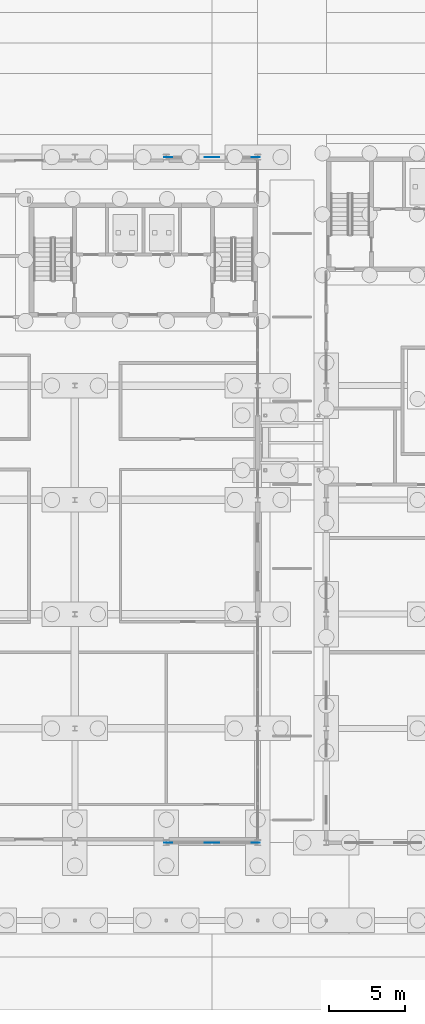
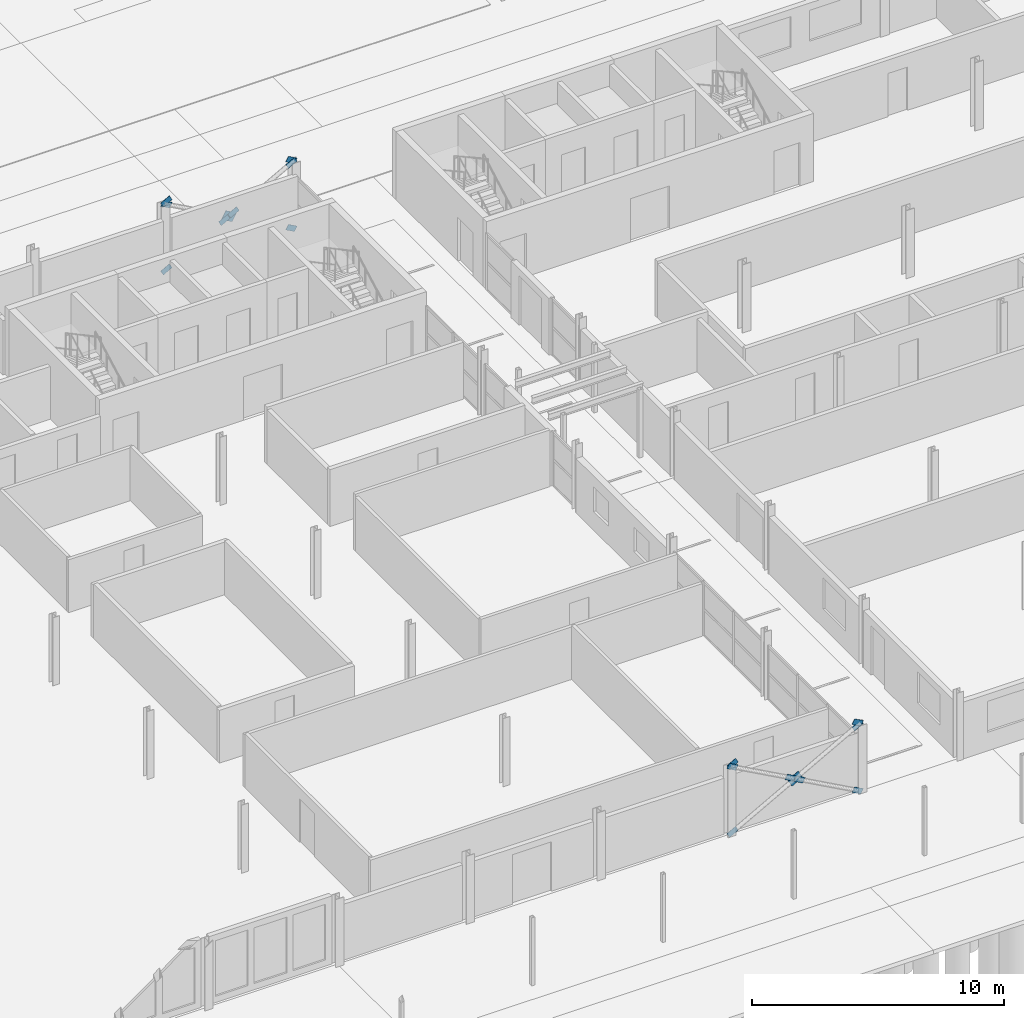
# One storey, part 105 of 130: 18 discrete accessories.
"""IFC4 building model written with IfcOpenShell, lengths in metres."""

from ifc_helpers import new_model, si_unit, direction, frame, origin, place, context, subcontext, project, spatial, polyline, outline, extrude, material, layer, layer_set, type_object, element, save


model = new_model("IFC4")

# Units and contexts
model_context = context("Model", 3, precision=1e-05, world=origin(), true_north=direction((0.0, 1.0)))
body_context = subcontext(model_context, "Body", "Model", "MODEL_VIEW")
ifc_project = project(units=[si_unit("LENGTHUNIT", "METRE"), si_unit("AREAUNIT", "SQUARE_METRE"), si_unit("VOLUMEUNIT", "CUBIC_METRE"), si_unit("PLANEANGLEUNIT", "RADIAN"), si_unit("MASSUNIT", "GRAM", prefix="KILO")], contexts=[model_context])

# Site, building, storey
site_placement = place(None, origin())
site = spatial("IfcSite", under=ifc_project, at=site_placement, CompositionType="ELEMENT")
building_placement = place(site_placement, origin())
building = spatial("IfcBuilding", under=site, at=building_placement, Name="Parallax Yard Mobility Hub", CompositionType="ELEMENT")
storey_placement = place(building_placement, origin())
storey = spatial("IfcBuildingStorey", under=building, at=storey_placement, Name="L00", CompositionType="ELEMENT", Elevation=0.0)

# Discrete accessories
ifc_material = material(Name="Steel ASTM A36", Category="steel")
ifc_layer = layer(ifc_material, 0.011962890625)
ifc_layer_set = layer_set([ifc_layer], Name="Gusset plate PL12")
discrete_accessory_type = type_object("IfcDiscreteAccessoryType", Name="Gusset plate PL12", PredefinedType="BRACKET", material=ifc_layer_set)
discrete_accessory_1_placement = place(storey_placement, frame((87.393310546875, 7.5, 0.069091796875), z_axis=(0.0, 1.0, 0.0), x_axis=(-0.876260918748, 0.0, -0.481836904226)))
element("IfcDiscreteAccessory", 1, at=discrete_accessory_1_placement, inside=storey, type_object=discrete_accessory_type, Name="Gusset plate PL12 at end 1 of X brace east end bay south face level 0 1", PredefinedType="BRACKET", context=body_context, shape_type="SweptSolid", body=[
    extrude(outline(polyline([(0.0, 0.0), (0.4580452909772414, 2.7755575615628914e-17), (0.4577912805793759, 0.25785907180368317), (0.00029148734181290437, 0.2578804128412087), (0.0, 0.0)])), origin(), (0.0, 0.0, -1.0), 0.011962890625),
])
discrete_accessory_2_placement = place(storey_placement, frame((92.606689453125, 7.5, 3.23095703125), z_axis=(0.0, 1.0, 0.0), x_axis=(0.876485923717, 0.0, 0.481427487297)))
element("IfcDiscreteAccessory", 2, at=discrete_accessory_2_placement, inside=storey, type_object=discrete_accessory_type, Name="Gusset plate PL12 at end 2 of X brace east end bay south face level 0 1", PredefinedType="BRACKET", context=body_context, shape_type="SweptSolid", body=[
    extrude(outline(polyline([(0.0, 0.0), (0.45792770498553226, 0.0), (0.4579116950974483, 0.25764517651014446), (0.00029442574671517674, 0.25809423434664636), (0.0, 0.0)])), origin(), (0.0, 0.0, -1.0), 0.011962890625),
])
discrete_accessory_3_placement = place(storey_placement, frame((92.731201171875, 7.5, 0.294921875), z_axis=(0.0, 1.0, 0.0), x_axis=(0.876238441502, 0.0, -0.481877778731)))
element("IfcDiscreteAccessory", 3, at=discrete_accessory_3_placement, inside=storey, type_object=discrete_accessory_type, Name="Gusset plate PL12 at end 1 of X brace east end bay south face level 0 2 (half 1)", PredefinedType="BRACKET", context=body_context, shape_type="SweptSolid", body=[
    extrude(outline(polyline([(0.0, 0.0), (0.45749979373531174, 0.0), (0.45776583251018776, 0.2578590596742909), (-0.0002794579687115245, 0.2578804261576796), (0.0, 0.0)])), origin(), (0.0, 0.0, -1.0), 0.011962890625),
])
discrete_accessory_4_placement = place(storey_placement, frame((90.350830078125, 7.5, 1.31005859375), z_axis=(0.0, 1.0, 0.0), x_axis=(-0.876362269373, 0.0, 0.481652543666)))
element("IfcDiscreteAccessory", 4, at=discrete_accessory_4_placement, inside=storey, type_object=discrete_accessory_type, Name="Gusset plate PL12 at end 2 of X brace east end bay south face level 0 2 (half 1)", PredefinedType="BRACKET", context=body_context, shape_type="SweptSolid", body=[
    extrude(outline(polyline([(0.0, 0.0), (0.45771373425530937, 0.0), (0.4576995399985189, 0.25797671048953025), (-0.0001317852098339095, 0.2577627548573592), (0.0, 0.0)])), origin(), (0.0, 0.0, -1.0), 0.011962890625),
])
discrete_accessory_5_placement = place(storey_placement, frame((89.649169921875, 7.5, 1.989990234375), z_axis=(0.0, 1.0, 0.0), x_axis=(0.876137085839, 0.0, -0.482062036274)))
element("IfcDiscreteAccessory", 5, at=discrete_accessory_5_placement, inside=storey, type_object=discrete_accessory_type, Name="Gusset plate PL12 at end 1 of X brace east end bay south face level 0 2 (half 2)", PredefinedType="BRACKET", context=body_context, shape_type="SweptSolid", body=[
    extrude(outline(polyline([(0.0, 0.0), (0.45783137520166645, -2.7755575615628914e-17), (0.45782004875185034, 0.25776278829712423), (-1.1326449816093098e-05, 0.2577627882971243), (0.0, 0.0)])), origin(), (0.0, 0.0, -1.0), 0.011962890625),
])
discrete_accessory_6_placement = place(storey_placement, frame((87.268798828125, 7.5, 3.0048828125), z_axis=(0.0, 1.0, 0.0), x_axis=(-0.876013079243, 0.0, 0.482287346916)))
element("IfcDiscreteAccessory", 6, at=discrete_accessory_6_placement, inside=storey, type_object=discrete_accessory_type, Name="Gusset plate PL12 at end 2 of X brace east end bay south face level 0 2 (half 2)", PredefinedType="BRACKET", context=body_context, shape_type="SweptSolid", body=[
    extrude(outline(polyline([(0.0, 0.0), (0.4576174896799312, 0.0), (0.4578863255299387, 0.25764503675123607), (-4.115897703603488e-05, 0.25809439900052183), (0.0, 0.0)])), origin(), (0.0, 0.0, -1.0), 0.011962890625),
])
discrete_accessory_7_placement = place(storey_placement, frame((87.393310546875, 7.5, 3.369140625), z_axis=(0.0, 1.0, 0.0), x_axis=(-0.876260918748, 0.0, -0.481836904226)))
element("IfcDiscreteAccessory", 7, at=discrete_accessory_7_placement, inside=storey, type_object=discrete_accessory_type, Name="Gusset plate PL12 at end 1 of X brace east end bay south face level 1 1", PredefinedType="BRACKET", context=body_context, shape_type="SweptSolid", body=[
    extrude(outline(polyline([(0.0, 0.0), (0.4580452909772414, 2.7755575615628914e-17), (0.4577912805793759, 0.25785907180368317), (0.00029148734181290437, 0.2578804128412087), (0.0, 0.0)])), origin(), (0.0, 0.0, -1.0), 0.011962890625),
])
for number, where, z_axis, x_axis, name in (
    (8, (92.731201171875, 7.5, 3.594970703125), (0.0, 1.0, 0.0), (0.876238441502, 0.0, -0.481877778731), "Gusset plate PL12 at end 1 of X brace east end bay south face level 1 2 (half 1)"),
    (9, (92.731201171875, 52.5, 0.294921875), (0.0, 1.0, 0.0), (0.876238441502, 0.0, -0.481877778731), "Gusset plate PL12 at end 1 of X brace east end bay north face level 0 2"),
):
    element("IfcDiscreteAccessory", number, at=place(storey_placement, frame(where, z_axis=z_axis, x_axis=x_axis)), inside=storey, type_object=discrete_accessory_type, Name=name, PredefinedType="BRACKET", context=body_context, shape_type="SweptSolid", body=[
        extrude(outline(polyline([(0.0, 0.0), (0.45749979373531174, 0.0), (0.45776583251018776, 0.2578590596742909), (-0.0002794579687115245, 0.2578804261576796), (0.0, 0.0)])), origin(), (0.0, 0.0, -1.0), 0.011962890625),
    ])
discrete_accessory_8_placement = place(storey_placement, frame((87.268798828125, 52.5, 3.0048828125), z_axis=(0.0, 1.0, 0.0), x_axis=(-0.876013079243, 0.0, 0.482287346916)))
element("IfcDiscreteAccessory", 10, at=discrete_accessory_8_placement, inside=storey, type_object=discrete_accessory_type, Name="Gusset plate PL12 at end 2 of X brace east end bay north face level 0 2", PredefinedType="BRACKET", context=body_context, shape_type="SweptSolid", body=[
    extrude(outline(polyline([(0.0, 0.0), (0.4576174896799312, 0.0), (0.4578863255299387, 0.25764503675123607), (-4.115897703603488e-05, 0.25809439900052183), (0.0, 0.0)])), origin(), (0.0, 0.0, -1.0), 0.011962890625),
])
discrete_accessory_9_placement = place(storey_placement, frame((87.393310546875, 52.5, 0.069091796875), z_axis=(0.0, 1.0, 0.0), x_axis=(-0.876260918748, 0.0, -0.481836904226)))
element("IfcDiscreteAccessory", 11, at=discrete_accessory_9_placement, inside=storey, type_object=discrete_accessory_type, Name="Gusset plate PL12 at end 1 of X brace east end bay north face level 0 1 (half 1)", PredefinedType="BRACKET", context=body_context, shape_type="SweptSolid", body=[
    extrude(outline(polyline([(0.0, 0.0), (0.4580452909772414, 2.7755575615628914e-17), (0.4577912805793759, 0.25785907180368317), (0.00029148734181290437, 0.2578804128412087), (0.0, 0.0)])), origin(), (0.0, 0.0, -1.0), 0.011962890625),
])
discrete_accessory_10_placement = place(storey_placement, frame((89.52490234375, 52.5, 1.535888671875), z_axis=(0.0, 1.0, 0.0), x_axis=(0.876137085839, 0.0, 0.482062036274)))
element("IfcDiscreteAccessory", 12, at=discrete_accessory_10_placement, inside=storey, type_object=discrete_accessory_type, Name="Gusset plate PL12 at end 2 of X brace east end bay north face level 0 1 (half 1)", PredefinedType="BRACKET", context=body_context, shape_type="SweptSolid", body=[
    extrude(outline(polyline([(0.0, 0.0), (0.45783137520166645, 2.7755575615628914e-17), (0.4577250107246577, 0.2579766889528468), (1.1326449816093098e-05, 0.2577627882971243), (0.0, 0.0)])), origin(), (0.0, 0.0, -1.0), 0.011962890625),
])
discrete_accessory_11_placement = place(storey_placement, frame((90.47509765625, 52.5, 1.76416015625), z_axis=(0.0, 1.0, 0.0), x_axis=(-0.876137085839, 0.0, -0.482062036274)))
element("IfcDiscreteAccessory", 13, at=discrete_accessory_11_placement, inside=storey, type_object=discrete_accessory_type, Name="Gusset plate PL12 at end 1 of X brace east end bay north face level 0 1 (half 2)", PredefinedType="BRACKET", context=body_context, shape_type="SweptSolid", body=[
    extrude(outline(polyline([(0.0, 0.0), (0.45783137520166645, 2.7755575615628914e-17), (0.4578427016514825, 0.2577627882971243), (1.1326449816093098e-05, 0.2577627882971243), (0.0, 0.0)])), origin(), (0.0, 0.0, -1.0), 0.011962890625),
])
discrete_accessory_12_placement = place(storey_placement, frame((92.606689453125, 52.5, 3.23095703125), z_axis=(0.0, 1.0, 0.0), x_axis=(0.876485923717, 0.0, 0.481427487297)))
element("IfcDiscreteAccessory", 14, at=discrete_accessory_12_placement, inside=storey, type_object=discrete_accessory_type, Name="Gusset plate PL12 at end 2 of X brace east end bay north face level 0 1 (half 2)", PredefinedType="BRACKET", context=body_context, shape_type="SweptSolid", body=[
    extrude(outline(polyline([(0.0, 0.0), (0.45792770498553226, 0.0), (0.4579116950974483, 0.25764517651014446), (0.00029442574671517674, 0.25809423434664636), (0.0, 0.0)])), origin(), (0.0, 0.0, -1.0), 0.011962890625),
])
discrete_accessory_13_placement = place(storey_placement, frame((92.731201171875, 52.5, 3.594970703125), z_axis=(0.0, 1.0, 0.0), x_axis=(0.876238441502, 0.0, -0.481877778731)))
element("IfcDiscreteAccessory", 15, at=discrete_accessory_13_placement, inside=storey, type_object=discrete_accessory_type, Name="Gusset plate PL12 at end 1 of X brace east end bay north face level 1 2", PredefinedType="BRACKET", context=body_context, shape_type="SweptSolid", body=[
    extrude(outline(polyline([(0.0, 0.0), (0.45749979373531174, 0.0), (0.45776583251018776, 0.2578590596742909), (-0.0002794579687115245, 0.2578804261576796), (0.0, 0.0)])), origin(), (0.0, 0.0, -1.0), 0.011962890625),
])
discrete_accessory_14_placement = place(storey_placement, frame((87.393310546875, 52.5, 3.369140625), z_axis=(0.0, 1.0, 0.0), x_axis=(-0.876260918748, 0.0, -0.481836904226)))
element("IfcDiscreteAccessory", 16, at=discrete_accessory_14_placement, inside=storey, type_object=discrete_accessory_type, Name="Gusset plate PL12 at end 1 of X brace east end bay north face level 1 1 (half 1)", PredefinedType="BRACKET", context=body_context, shape_type="SweptSolid", body=[
    extrude(outline(polyline([(0.0, 0.0), (0.4580452909772414, 2.7755575615628914e-17), (0.4577912805793759, 0.25785907180368317), (0.00029148734181290437, 0.2578804128412087), (0.0, 0.0)])), origin(), (0.0, 0.0, -1.0), 0.011962890625),
])
discrete_accessory_15_placement = place(storey_placement, frame((89.653564453125, 7.5, 1.69921875), z_axis=(0.0, 1.0, 0.0), x_axis=(0.876206700171, 0.0, 0.48193549213)))
element("IfcDiscreteAccessory", 17, at=discrete_accessory_15_placement, inside=storey, type_object=discrete_accessory_type, Name="Gusset plate PL12 crossing node of X brace east end bay south face level 0 2", PredefinedType="BRACKET", context=body_context, shape_type="SweptSolid", body=[
    extrude(outline(polyline([(0.0, 0.0), (0.5597748973262152, 0.0), (0.5596813016987445, 0.42012798506698723), (-9.359562747066064e-05, 0.4201279850669873), (0.0, 0.0)])), origin(), (0.0, 0.0, -1.0), 0.011962890625),
])
discrete_accessory_16_placement = place(storey_placement, frame((90.14404296875, 52.5, 1.3310546875), z_axis=(0.0, 1.0, 0.0), x_axis=(-0.876206700171, 0.0, 0.48193549213)))
element("IfcDiscreteAccessory", 18, at=discrete_accessory_16_placement, inside=storey, type_object=discrete_accessory_type, Name="Gusset plate PL12 crossing node of X brace east end bay north face level 0 1", PredefinedType="BRACKET", context=body_context, shape_type="SweptSolid", body=[
    extrude(outline(polyline([(0.0, 0.0), (0.5597748973262152, 0.0), (0.5598684929536858, 0.42012798506698723), (9.359562747066064e-05, 0.4201279850669873), (0.0, 0.0)])), origin(), (0.0, 0.0, -1.0), 0.011962890625),
])

save(model, "model.ifc")
